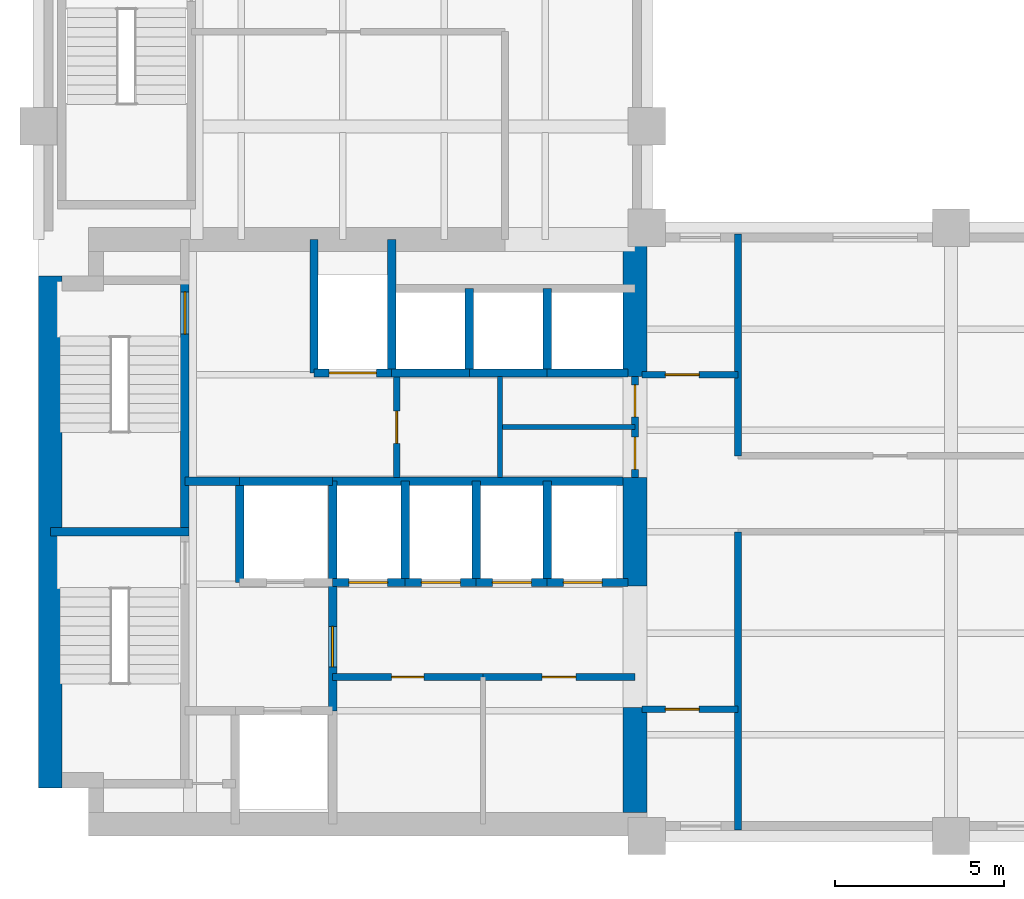
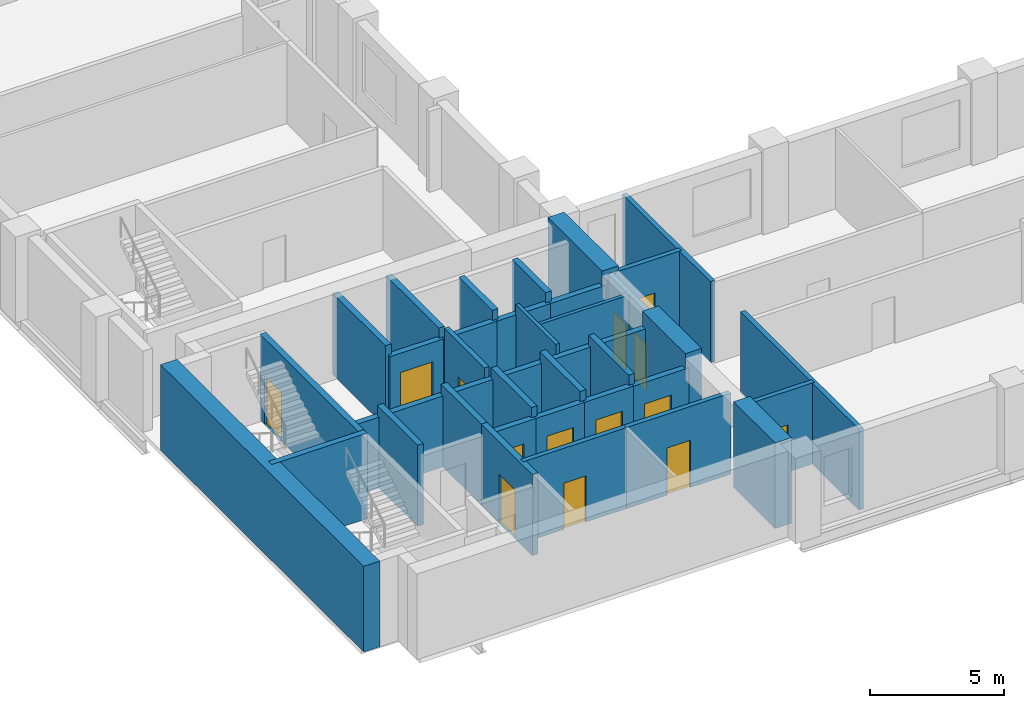
# One storey, part 3 of 7: 37 walls, 14 doors, 14 openings.
"""IFC4 building model written with IfcOpenShell, lengths in metres."""

import ifcopenshell
import ifcopenshell.guid

model = None  # the IFC model being written
_history = None  # IfcOwnerHistory: only IFC2X3 demands one
_inside = {}  # id of a spatial element -> (the spatial element, [elements in it])
_under = {}  # id of a project, library or spatial element -> (it, [spatial elements below it])
_declared = {}  # id of a project -> (the project, [libraries it declares])
_typed = {}  # id of a type object -> (the type object, [elements of that type])
_made_of = {}  # id of a material, layer set ... -> (it, [elements and type objects made of it])


def new_model(schema):
    """Start an empty IFC model of exactly this schema.

    Asked for "IFC4X3", IfcOpenShell would pick the latest addendum, in which some entities
    have other attributes; the version numbers below select the first issue.
    IFC2X3 requires an IfcOwnerHistory on every rooted entity: one is made here for all.
    """
    global model, _history
    if schema == "IFC4X3":
        model = ifcopenshell.file(schema_version=(4, 3, 0, 0))
    else:
        model = ifcopenshell.file(schema=schema)
    _inside.clear()
    _under.clear()
    _declared.clear()
    _typed.clear()
    _made_of.clear()
    _history = None
    if model.schema == "IFC2X3":
        org = make("IfcOrganization", Name="unknown")
        user = make(
            "IfcPersonAndOrganization",
            ThePerson=make("IfcPerson", FamilyName="unknown"),
            TheOrganization=org,
        )
        app = make(
            "IfcApplication",
            ApplicationDeveloper=org,
            Version="unknown",
            ApplicationFullName="unknown",
            ApplicationIdentifier="unknown",
        )
        _history = make(
            "IfcOwnerHistory",
            OwningUser=user,
            OwningApplication=app,
            ChangeAction="ADDED",
            CreationDate=0,
        )
    return model


def make(cls, **values):
    """One entity of the class cls with the attributes given. An attribute that is None is left unset."""
    return model.create_entity(
        cls, **{name: value for name, value in values.items() if value is not None}
    )


def rooted(cls, **values):
    """An entity with a GlobalId (a new one), such as an element, a storey or a relation."""
    return make(cls, GlobalId=ifcopenshell.guid.new(), OwnerHistory=_history, **values)


def si_unit(unit_type, name, prefix=None):
    """IfcSIUnit, for example si_unit("LENGTHUNIT", "METRE", prefix="MILLI")."""
    return make("IfcSIUnit", UnitType=unit_type, Prefix=prefix, Name=name)


def assignment(units):
    """IfcUnitAssignment: the units of a project."""
    return None if units is None else make("IfcUnitAssignment", Units=units)


def point(xyz):
    """IfcCartesianPoint."""
    return None if xyz is None else make("IfcCartesianPoint", Coordinates=xyz)


def direction(xyz):
    """IfcDirection."""
    return None if xyz is None else make("IfcDirection", DirectionRatios=xyz)


def frame(location, z_axis=None, x_axis=None):
    """IfcAxis2Placement3D, a coordinate frame: its origin and axes. An axis left out is left unset."""
    return make(
        "IfcAxis2Placement3D",
        Location=point(location),
        Axis=direction(z_axis),
        RefDirection=direction(x_axis),
    )


def frame_2d(location, x_axis=None):
    """IfcAxis2Placement2D, a coordinate frame in the plane: its origin and x axis."""
    return make(
        "IfcAxis2Placement2D", Location=point(location), RefDirection=direction(x_axis)
    )


def origin():
    """The frame at (0, 0, 0) with its axes left unset."""
    return frame((0.0, 0.0, 0.0))


def place(relative_to, where):
    """IfcLocalPlacement: puts the frame where relative to a parent placement (None: the world)."""
    return make(
        "IfcLocalPlacement", PlacementRelTo=relative_to, RelativePlacement=where
    )


def context(
    kind, dimensions, precision=None, world=None, true_north=None, identifier=None
):
    """IfcGeometricRepresentationContext, for example the 3D "Model" context."""
    return make(
        "IfcGeometricRepresentationContext",
        ContextIdentifier=identifier,
        ContextType=kind,
        CoordinateSpaceDimension=dimensions,
        Precision=precision,
        WorldCoordinateSystem=world,
        TrueNorth=true_north,
    )


def subcontext(parent, identifier, kind, view, scale=None):
    """IfcGeometricRepresentationSubContext, for example "Body" below "Model"."""
    return make(
        "IfcGeometricRepresentationSubContext",
        ContextIdentifier=identifier,
        ContextType=kind,
        ParentContext=parent,
        TargetScale=scale,
        TargetView=view,
    )


def project(units=None, contexts=None):
    """IfcProject with its units and contexts."""
    return rooted(
        "IfcProject",
        Name="project",
        RepresentationContexts=contexts,
        UnitsInContext=assignment(units),
    )


def spatial(cls, under=None, at=None, **own):
    """A site, building, storey or space (cls), placed at a placement, below another one or the project."""
    s = rooted(cls, ObjectPlacement=at, **own)
    if under is not None:
        _under.setdefault(under.id(), (under, []))[1].append(s)
    return s


def profile(cls, at=None, kind="AREA", **sizes):
    """A parametric profile (cls). Its sizes go by their IFC names, for example OverallWidth=200.0."""
    return make(cls, ProfileType=kind, Position=at, **sizes)


def rectangle(**sizes):
    """IfcRectangleProfileDef."""
    return profile("IfcRectangleProfileDef", **sizes)


def extrude(swept, where, along, depth):
    """IfcExtrudedAreaSolid: the profile swept, set in the frame where, extruded along a direction by depth."""
    return make(
        "IfcExtrudedAreaSolid",
        SweptArea=swept,
        Position=where,
        ExtrudedDirection=direction(along),
        Depth=depth,
    )


def shape(context_of_items, identifier, shape_type, items):
    """IfcShapeRepresentation: the items that make up one representation, for example the "Body"."""
    return make(
        "IfcShapeRepresentation",
        ContextOfItems=context_of_items,
        RepresentationIdentifier=identifier,
        RepresentationType=shape_type,
        Items=items,
    )


def material(Name=None, Category=None):
    """IfcMaterial."""
    return make("IfcMaterial", Name=Name, Category=Category)


def layer(
    of_material, thickness, ventilated=None, Name=None, Category=None, Priority=None
):
    """IfcMaterialLayer: one layer of a wall or slab, of a material (None: an air gap)."""
    return make(
        "IfcMaterialLayer",
        Material=of_material,
        LayerThickness=thickness,
        IsVentilated=ventilated,
        Name=Name,
        Category=Category,
        Priority=Priority,
    )


def layer_set(layers, Name=None):
    """IfcMaterialLayerSet."""
    return make("IfcMaterialLayerSet", MaterialLayers=layers, LayerSetName=Name)


def made_of(thing, what):
    """Note that an element or type object is made of a material, layer set ...; save() writes the relation."""
    if what is not None:
        _made_of.setdefault(what.id(), (what, []))[1].append(thing)
    return thing


def type_object(cls, material=None, **own):
    """A type object (cls), such as IfcWallType, which elements share."""
    return made_of(rooted(cls, **own), material)


def element(
    cls,
    number,
    at=None,
    inside=None,
    cuts=None,
    type_object=None,
    material=None,
    context=None,
    identifier="Body",
    shape_type=None,
    held_by="IfcProductDefinitionShape",
    body=None,
    shapes=None,
    **own,
):
    """One element of the class cls, such as IfcWall. Its Tag is "e" and its number.

    at: its placement. inside: the storey or other place that contains it. cuts: it is an
    opening in that element (IfcRelVoidsElement). A single representation is given by context,
    identifier, shape_type and body (its items); several are given by shapes. held_by: the class
    of the entity that holds the representations. save() writes the other relations.
    """
    e = rooted(cls, Tag="e%d" % number, ObjectPlacement=at, **own)
    if body is not None:
        shapes = [shape(context, identifier, shape_type, body)]
    if shapes is not None:
        e.Representation = make(held_by, Representations=shapes)
    if inside is not None:
        _inside.setdefault(inside.id(), (inside, []))[1].append(e)
    if cuts is not None:
        rooted(
            "IfcRelVoidsElement", RelatingBuildingElement=cuts, RelatedOpeningElement=e
        )
    if type_object is not None:
        _typed.setdefault(type_object.id(), (type_object, []))[1].append(e)
    return made_of(e, material)


def fill(opening, filler):
    """IfcRelFillsElement: the door or window that sits in an opening."""
    return rooted(
        "IfcRelFillsElement",
        RelatingOpeningElement=opening,
        RelatedBuildingElement=filler,
    )


def aggregate(whole, parts):
    """IfcRelAggregates: a whole, such as a stair, and the parts it consists of."""
    return rooted("IfcRelAggregates", RelatingObject=whole, RelatedObjects=parts)


def save(model, path):
    """Write the relations noted so far, then the file.

    IfcRelAggregates (storeys below a building ...), IfcRelContainedInSpatialStructure (elements
    in a storey), IfcRelDefinesByType, IfcRelAssociatesMaterial and IfcRelDeclares: one each for
    every whole, place, type object, material and project.
    """
    for whole, parts in _under.values():
        aggregate(whole, parts)
    for where, things in _inside.values():
        rooted(
            "IfcRelContainedInSpatialStructure",
            RelatedElements=things,
            RelatingStructure=where,
        )
    for kind, things in _typed.values():
        rooted("IfcRelDefinesByType", RelatedObjects=things, RelatingType=kind)
    for what, things in _made_of.values():
        rooted("IfcRelAssociatesMaterial", RelatedObjects=things, RelatingMaterial=what)
    for by, libraries in _declared.values():
        rooted("IfcRelDeclares", RelatingContext=by, RelatedDefinitions=libraries)
    model.write(path)


model = new_model("IFC4")

# Units and contexts
model_context = context("Model", 3, precision=1e-05, world=origin(), true_north=direction((0.0, 1.0)))
body_context = subcontext(model_context, "Body", "Model", "MODEL_VIEW")
ifc_project = project(units=[si_unit("LENGTHUNIT", "METRE"), si_unit("AREAUNIT", "SQUARE_METRE"), si_unit("VOLUMEUNIT", "CUBIC_METRE"), si_unit("PLANEANGLEUNIT", "RADIAN"), si_unit("MASSUNIT", "GRAM", prefix="KILO")], contexts=[model_context])

# Site, building, storey
site_placement = place(None, origin())
site = spatial("IfcSite", under=ifc_project, at=site_placement, CompositionType="ELEMENT")
building_placement = place(site_placement, origin())
building = spatial("IfcBuilding", under=site, at=building_placement, Name="Mawjdan Bourse Tower", CompositionType="ELEMENT")
storey_placement = place(building_placement, frame((0.0, 0.0, 108.89990234375)))
storey = spatial("IfcBuildingStorey", under=building, at=storey_placement, Name="L25", CompositionType="ELEMENT", Elevation=108.89990234375)

# Wall, opening, door
ifc_material_1 = material(Name="Gypsum Fireboard Assembly")
ifc_layer_1 = layer(ifc_material_1, 0.199951171875)
ifc_layer_set_1 = layer_set([ifc_layer_1], Name="Gypsum Fireboard Assembly")
wall_type_1 = type_object("IfcWallType", Name="WL-CMP-200", PredefinedType="PARTITIONING", material=ifc_layer_set_1)
wall_1_placement = place(storey_placement, frame((14.699951171875, 7.699951171875, 0.0), z_axis=(0.0, 0.0, 1.0), x_axis=(1.0, 0.0, 0.0)))
wall_1 = element("IfcWall", 1, at=wall_1_placement, inside=storey, type_object=wall_type_1, Name="L25 Staff Tea Pantry North Wall", PredefinedType="PARTITIONING", context=body_context, shape_type="SweptSolid", body=[
    extrude(rectangle(XDim=4.449951171875, YDim=0.199951171875, at=frame_2d((2.22509765625, 0.0))), origin(), (0.0, 0.0, 1.0), 3.690185546875),
])
opening_1_placement = place(wall_1_placement, frame((1.75, 0.0, 0.0)))
opening_1 = element("IfcOpeningElement", 2, at=opening_1_placement, cuts=wall_1, Name="Opening D-L25-10", PredefinedType="OPENING", context=body_context, shape_type="SweptSolid", body=[
    extrude(rectangle(XDim=0.949951171875, YDim=2.10009765625, at=frame_2d((0.47509765625, 1.050048828125))), frame((0.0, 0.10986328125, 0.0), z_axis=(0.0, -1.0, 0.0), x_axis=(1.0, 0.0, 0.0)), (0.0, 0.0, 1.0), 0.219970703125),
])
ifc_material_2 = material(Name="Moisture-Resistant Laminate Timber", Category="wood")
door_type_1 = type_object("IfcDoorType", Name="DR-WET-0950", OperationType="NOTDEFINED", PredefinedType="DOOR", material=ifc_material_2)
door_1_placement = place(opening_1_placement, origin())
door_1 = element("IfcDoor", 3, at=door_1_placement, inside=storey, type_object=door_type_1, Name="L25 Staff Tea Pantry Door D-L25-10", OperationType="SINGLE_SWING_RIGHT", OverallHeight=2.10009765625, OverallWidth=0.949951171875, PredefinedType="DOOR", context=body_context, shape_type="SweptSolid", body=[
    extrude(rectangle(XDim=0.949951171875, YDim=2.10009765625, at=frame_2d((0.47509765625, 1.050048828125))), frame((0.0, 0.02490234375, 0.0), z_axis=(0.0, -1.0, 0.0), x_axis=(1.0, 0.0, 0.0)), (0.0, 0.0, 1.0), 0.050048828125),
])
fill(opening_1, door_1)

wall_2_placement = place(storey_placement, frame((19.14990234375, 7.699951171875, 0.0), z_axis=(0.0, 0.0, 1.0), x_axis=(1.0, 0.0, 0.0)))
wall_2 = element("IfcWall", 4, at=wall_2_placement, inside=storey, type_object=wall_type_1, Name="L25 Document Custody Office North Wall", PredefinedType="PARTITIONING", context=body_context, shape_type="SweptSolid", body=[
    extrude(rectangle(XDim=4.5, YDim=0.199951171875, at=frame_2d((2.25, 0.0))), origin(), (0.0, 0.0, 1.0), 3.690185546875),
])
opening_2_placement = place(wall_2_placement, frame((1.75, 0.0, 0.0)))
opening_2 = element("IfcOpeningElement", 5, at=opening_2_placement, cuts=wall_2, Name="Opening D-L25-11", PredefinedType="OPENING", context=body_context, shape_type="SweptSolid", body=[
    extrude(rectangle(XDim=1.0, YDim=2.14990234375, at=frame_2d((0.5, 1.074951171875))), frame((0.0, 0.10986328125, 0.0), z_axis=(0.0, -1.0, 0.0), x_axis=(1.0, 0.0, 0.0)), (0.0, 0.0, 1.0), 0.219970703125),
])
ifc_material_3 = material(Name="Hardwood Acoustic Leaf", Category="wood")
door_type_2 = type_object("IfcDoorType", Name="DR-OFC-1000", OperationType="NOTDEFINED", PredefinedType="DOOR", material=ifc_material_3)
door_2_placement = place(opening_2_placement, origin())
door_2 = element("IfcDoor", 6, at=door_2_placement, inside=storey, type_object=door_type_2, Name="L25 Document Custody Office Door D-L25-11", OperationType="SINGLE_SWING_LEFT", OverallHeight=2.14990234375, OverallWidth=1.0, PredefinedType="DOOR", context=body_context, shape_type="SweptSolid", body=[
    extrude(rectangle(XDim=1.0, YDim=2.14990234375, at=frame_2d((0.5, 1.074951171875))), frame((0.0, 0.02490234375, 0.0), z_axis=(0.0, -1.0, 0.0), x_axis=(1.0, 0.0, 0.0)), (0.0, 0.0, 1.0), 0.050048828125),
])
fill(opening_2, door_2)

wall_3_placement = place(storey_placement, frame((16.60009765625, 13.60009765625, 0.0), z_axis=(0.0, 0.0, 1.0), x_axis=(0.0, 1.0, 0.0)))
wall_3 = element("IfcWall", 7, at=wall_3_placement, inside=storey, type_object=wall_type_1, Name="L25 Core Restroom West Wall", PredefinedType="PARTITIONING", context=body_context, shape_type="SweptSolid", body=[
    extrude(rectangle(XDim=3.0, YDim=0.199951171875, at=frame_2d((1.5, 0.0))), origin(), (0.0, 0.0, 1.0), 3.690185546875),
])
opening_3_placement = place(wall_3_placement, frame((1.02001953125, 0.0, 0.0)))
opening_3 = element("IfcOpeningElement", 8, at=opening_3_placement, cuts=wall_3, Name="Opening D-L25-16", PredefinedType="OPENING", context=body_context, shape_type="SweptSolid", body=[
    extrude(rectangle(XDim=0.949951171875, YDim=2.10009765625, at=frame_2d((0.47509765625, 1.050048828125))), frame((0.0, 0.10986328125, 0.0), z_axis=(0.0, -1.0, 0.0), x_axis=(1.0, 0.0, 0.0)), (0.0, 0.0, 1.0), 0.219970703125),
])
door_3_placement = place(opening_3_placement, origin())
door_3 = element("IfcDoor", 9, at=door_3_placement, inside=storey, type_object=door_type_1, Name="L25 Male Restroom Entry Door D-L25-16", OperationType="SINGLE_SWING_RIGHT", OverallHeight=2.10009765625, OverallWidth=0.949951171875, PredefinedType="DOOR", context=body_context, shape_type="SweptSolid", body=[
    extrude(rectangle(XDim=0.949951171875, YDim=2.10009765625, at=frame_2d((0.47509765625, 1.050048828125))), frame((0.0, 0.02490234375, 0.0), z_axis=(0.0, -1.0, 0.0), x_axis=(1.0, 0.0, 0.0)), (0.0, 0.0, 1.0), 0.050048828125),
])
fill(opening_3, door_3)

# Wall, openings, doors
wall_4_placement = place(storey_placement, frame((23.64990234375, 13.60009765625, 0.0), z_axis=(0.0, 0.0, 1.0), x_axis=(0.0, 1.0, 0.0)))
wall_4 = element("IfcWall", 10, at=wall_4_placement, inside=storey, type_object=wall_type_1, Name="L25 Core Restroom East Enclosing Wall", PredefinedType="PARTITIONING", context=body_context, shape_type="SweptSolid", body=[
    extrude(rectangle(XDim=3.0, YDim=0.199951171875, at=frame_2d((1.5, 0.0))), origin(), (0.0, 0.0, 1.0), 3.690185546875),
])
opening_4_placement = place(wall_4_placement, frame((0.25, 0.0, 0.0)))
opening_4 = element("IfcOpeningElement", 11, at=opening_4_placement, cuts=wall_4, Name="Opening D-L25-17", PredefinedType="OPENING", context=body_context, shape_type="SweptSolid", body=[
    extrude(rectangle(XDim=0.949951171875, YDim=2.10009765625, at=frame_2d((0.47509765625, 1.050048828125))), frame((0.0, 0.10986328125, 0.0), z_axis=(0.0, -1.0, 0.0), x_axis=(1.0, 0.0, 0.0)), (0.0, 0.0, 1.0), 0.219970703125),
])
opening_5_placement = place(wall_4_placement, frame((1.800048828125, 0.0, 0.0)))
opening_5 = element("IfcOpeningElement", 12, at=opening_5_placement, cuts=wall_4, Name="Opening D-L25-18", PredefinedType="OPENING", context=body_context, shape_type="SweptSolid", body=[
    extrude(rectangle(XDim=0.949951171875, YDim=2.10009765625, at=frame_2d((0.47509765625, 1.050048828125))), frame((0.0, 0.10986328125, 0.0), z_axis=(0.0, -1.0, 0.0), x_axis=(1.0, 0.0, 0.0)), (0.0, 0.0, 1.0), 0.219970703125),
])
door_4_placement = place(opening_4_placement, origin())
door_4 = element("IfcDoor", 13, at=door_4_placement, inside=storey, type_object=door_type_1, Name="L25 Accessible WC East Entry Door D-L25-17", OperationType="SINGLE_SWING_LEFT", OverallHeight=2.10009765625, OverallWidth=0.949951171875, PredefinedType="DOOR", context=body_context, shape_type="SweptSolid", body=[
    extrude(rectangle(XDim=0.949951171875, YDim=2.10009765625, at=frame_2d((0.47509765625, 1.050048828125))), frame((0.0, 0.02490234375, 0.0), z_axis=(0.0, -1.0, 0.0), x_axis=(1.0, 0.0, 0.0)), (0.0, 0.0, 1.0), 0.050048828125),
])
fill(opening_4, door_4)
door_5_placement = place(opening_5_placement, origin())
door_5 = element("IfcDoor", 14, at=door_5_placement, inside=storey, type_object=door_type_1, Name="L25 Female Restroom East Entry Door D-L25-18", OperationType="SINGLE_SWING_RIGHT", OverallHeight=2.10009765625, OverallWidth=0.949951171875, PredefinedType="DOOR", context=body_context, shape_type="SweptSolid", body=[
    extrude(rectangle(XDim=0.949951171875, YDim=2.10009765625, at=frame_2d((0.47509765625, 1.050048828125))), frame((0.0, 0.02490234375, 0.0), z_axis=(0.0, -1.0, 0.0), x_axis=(1.0, 0.0, 0.0)), (0.0, 0.0, 1.0), 0.050048828125),
])
fill(opening_5, door_5)

# Wall, opening, door
wall_5_placement = place(storey_placement, frame((23.85009765625, 6.75, 0.0), z_axis=(0.0, 0.0, 1.0), x_axis=(1.0, 0.0, 0.0)))
wall_5 = element("IfcWall", 15, at=wall_5_placement, inside=storey, type_object=wall_type_1, Name="L25 West Pocket North Wall", PredefinedType="PARTITIONING", context=body_context, shape_type="SweptSolid", body=[
    extrude(rectangle(XDim=2.849853515625, YDim=0.199951171875, at=frame_2d((1.4248046875, 0.0))), origin(), (0.0, 0.0, 1.0), 3.690185546875),
])
opening_6_placement = place(wall_5_placement, frame((0.699951171875, 0.0, 0.0)))
opening_6 = element("IfcOpeningElement", 16, at=opening_6_placement, cuts=wall_5, Name="Opening D-L25-20", PredefinedType="OPENING", context=body_context, shape_type="SweptSolid", body=[
    extrude(rectangle(XDim=1.0, YDim=2.14990234375, at=frame_2d((0.5, 1.074951171875))), frame((0.0, 0.10986328125, 0.0), z_axis=(0.0, -1.0, 0.0), x_axis=(1.0, 0.0, 0.0)), (0.0, 0.0, 1.0), 0.219970703125),
])
door_6_placement = place(opening_6_placement, origin())
door_6 = element("IfcDoor", 17, at=door_6_placement, inside=storey, type_object=door_type_2, Name="L25 West Pocket Office Door D-L25-20", OperationType="SINGLE_SWING_RIGHT", OverallHeight=2.14990234375, OverallWidth=1.0, PredefinedType="DOOR", context=body_context, shape_type="SweptSolid", body=[
    extrude(rectangle(XDim=1.0, YDim=2.14990234375, at=frame_2d((0.5, 1.074951171875))), frame((0.0, 0.02490234375, 0.0), z_axis=(0.0, -1.0, 0.0), x_axis=(1.0, 0.0, 0.0)), (0.0, 0.0, 1.0), 0.050048828125),
])
fill(opening_6, door_6)

wall_6_placement = place(storey_placement, frame((23.85009765625, 16.64990234375, 0.0), z_axis=(0.0, 0.0, 1.0), x_axis=(1.0, 0.0, 0.0)))
wall_6 = element("IfcWall", 18, at=wall_6_placement, inside=storey, type_object=wall_type_1, Name="L25 West North Pocket Wall", PredefinedType="PARTITIONING", context=body_context, shape_type="SweptSolid", body=[
    extrude(rectangle(XDim=2.849853515625, YDim=0.199951171875, at=frame_2d((1.4248046875, 0.0))), origin(), (0.0, 0.0, 1.0), 3.690185546875),
])
opening_7_placement = place(wall_6_placement, frame((0.699951171875, 0.0, 0.0)))
opening_7 = element("IfcOpeningElement", 19, at=opening_7_placement, cuts=wall_6, Name="Opening D-L25-21", PredefinedType="OPENING", context=body_context, shape_type="SweptSolid", body=[
    extrude(rectangle(XDim=1.0, YDim=2.14990234375, at=frame_2d((0.5, 1.074951171875))), frame((0.0, 0.10986328125, 0.0), z_axis=(0.0, -1.0, 0.0), x_axis=(1.0, 0.0, 0.0)), (0.0, 0.0, 1.0), 0.219970703125),
])
door_7_placement = place(opening_7_placement, origin())
door_7 = element("IfcDoor", 20, at=door_7_placement, inside=storey, type_object=door_type_2, Name="L25 West North Pocket Door D-L25-21", OperationType="SINGLE_SWING_LEFT", OverallHeight=2.14990234375, OverallWidth=1.0, PredefinedType="DOOR", context=body_context, shape_type="SweptSolid", body=[
    extrude(rectangle(XDim=1.0, YDim=2.14990234375, at=frame_2d((0.5, 1.074951171875))), frame((0.0, 0.02490234375, 0.0), z_axis=(0.0, -1.0, 0.0), x_axis=(1.0, 0.0, 0.0)), (0.0, 0.0, 1.0), 0.050048828125),
])
fill(opening_7, door_7)

# Walls
wall_7_placement = place(storey_placement, frame((26.699951171875, 3.179931640625, 0.0), z_axis=(0.0, 0.0, 1.0), x_axis=(0.0, 1.0, 0.0)))
element("IfcWall", 21, at=wall_7_placement, inside=storey, type_object=wall_type_1, Name="L25 Vestibule South East Wall", PredefinedType="PARTITIONING", context=body_context, shape_type="SweptSolid", body=[
    extrude(rectangle(XDim=8.820068359375, YDim=0.199951171875, at=frame_2d((4.41015625, 0.0))), origin(), (0.0, 0.0, 1.0), 3.690185546875),
])
wall_8_placement = place(storey_placement, frame((26.699951171875, 14.25, 0.0), z_axis=(0.0, 0.0, 1.0), x_axis=(0.0, 1.0, 0.0)))
element("IfcWall", 22, at=wall_8_placement, inside=storey, type_object=wall_type_1, Name="L25 Vestibule North East Wall", PredefinedType="PARTITIONING", context=body_context, shape_type="SweptSolid", body=[
    extrude(rectangle(XDim=6.570068359375, YDim=0.199951171875, at=frame_2d((3.28515625, 0.0))), origin(), (0.0, 0.0, 1.0), 3.690185546875),
])
ifc_material_4 = material(Name="Concrete C70/85", Category="concrete")
ifc_layer_2 = layer(ifc_material_4, 0.699951171875)
ifc_layer_set_2 = layer_set([ifc_layer_2], Name="Concrete C70/85")
wall_type_2 = type_object("IfcWallType", Name="WL-CORE-700", PredefinedType="SHEAR", material=ifc_layer_set_2)
wall_9_placement = place(storey_placement, frame((6.35009765625, 4.425048828125, 0.0), z_axis=(0.0, 0.0, 1.0), x_axis=(0.0, 1.0, 0.0)))
element("IfcWall", 23, at=wall_9_placement, inside=storey, type_object=wall_type_2, Name="L25 Rear Core Shear Wall W", PredefinedType="SHEAR", context=body_context, shape_type="SweptSolid", body=[
    extrude(rectangle(XDim=15.14990234375, YDim=0.699951171875, at=frame_2d((7.574951171875, 0.0))), origin(), (0.0, 0.0, 1.0), 3.900146484375),
])
wall_10_placement = place(storey_placement, frame((23.64990234375, 3.699951171875, 0.0), z_axis=(0.0, 0.0, 1.0), x_axis=(0.0, 1.0, 0.0)))
element("IfcWall", 24, at=wall_10_placement, inside=storey, type_object=wall_type_2, Name="L25 Rear Core Shear Wall E1", PredefinedType="SHEAR", context=body_context, shape_type="SweptSolid", body=[
    extrude(rectangle(XDim=3.10009765625, YDim=0.699951171875, at=frame_2d((1.550048828125, 0.0))), origin(), (0.0, 0.0, 1.0), 3.900146484375),
])
wall_11_placement = place(storey_placement, frame((23.64990234375, 10.39990234375, 0.0), z_axis=(0.0, 0.0, 1.0), x_axis=(0.0, 1.0, 0.0)))
element("IfcWall", 25, at=wall_11_placement, inside=storey, type_object=wall_type_2, Name="L25 Rear Core Shear Wall E2", PredefinedType="SHEAR", context=body_context, shape_type="SweptSolid", body=[
    extrude(rectangle(XDim=3.2001953125, YDim=0.699951171875, at=frame_2d((1.60009765625, 0.0))), origin(), (0.0, 0.0, 1.0), 3.900146484375),
])
wall_12_placement = place(storey_placement, frame((23.64990234375, 16.60009765625, 0.0), z_axis=(0.0, 0.0, 1.0), x_axis=(0.0, 1.0, 0.0)))
element("IfcWall", 26, at=wall_12_placement, inside=storey, type_object=wall_type_2, Name="L25 Rear Core Shear Wall E3", PredefinedType="SHEAR", context=body_context, shape_type="SweptSolid", body=[
    extrude(rectangle(XDim=4.0498046875, YDim=0.699951171875, at=frame_2d((2.02490234375, 0.0))), origin(), (0.0, 0.0, 1.0), 3.900146484375),
])
ifc_material_5 = material(Name="Gypsum Acoustic Partition")
ifc_layer_3 = layer(ifc_material_5, 0.14990234375)
ifc_layer_set_3 = layer_set([ifc_layer_3], Name="Gypsum Acoustic Partition")
wall_type_3 = type_object("IfcWallType", Name="WL-PRT-150", PredefinedType="PARTITIONING", material=ifc_layer_set_3)
wall_13_placement = place(storey_placement, frame((19.64990234375, 13.60009765625, 0.0), z_axis=(0.0, 0.0, 1.0), x_axis=(0.0, 1.0, 0.0)))
element("IfcWall", 27, at=wall_13_placement, inside=storey, type_object=wall_type_3, Name="L25 Core Restroom Vertical Split", PredefinedType="PARTITIONING", context=body_context, shape_type="SweptSolid", body=[
    extrude(rectangle(XDim=3.0, YDim=0.14990234375, at=frame_2d((1.5, 0.0))), origin(), (0.0, 0.0, 1.0), 3.690185546875),
])
wall_14_placement = place(storey_placement, frame((19.64990234375, 15.10009765625, 0.0), z_axis=(0.0, 0.0, 1.0), x_axis=(1.0, 0.0, 0.0)))
element("IfcWall", 28, at=wall_14_placement, inside=storey, type_object=wall_type_3, Name="L25 Core Restroom East Horizontal Split", PredefinedType="PARTITIONING", context=body_context, shape_type="SweptSolid", body=[
    extrude(rectangle(XDim=4.0, YDim=0.14990234375, at=frame_2d((2.0, 0.0))), origin(), (0.0, 0.0, 1.0), 3.690185546875),
])
ifc_material_6 = material(Name="Concrete C50/60", Category="concrete")
ifc_layer_4 = layer(ifc_material_6, 0.25)
ifc_layer_set_4 = layer_set([ifc_layer_4], Name="Concrete C50/60")
wall_type_4 = type_object("IfcWallType", Name="WL-SHFT-250", PredefinedType="PARTITIONING", material=ifc_layer_set_4)
wall_15_placement = place(storey_placement, frame((11.949951171875, 10.5, 0.0), z_axis=(0.0, 0.0, 1.0), x_axis=(0.0, 1.0, 0.0)))
element("IfcWall", 29, at=wall_15_placement, inside=storey, type_object=wall_type_4, Name="L25 FFL-02 West Shaft Wall", PredefinedType="PARTITIONING", context=body_context, shape_type="SweptSolid", body=[
    extrude(rectangle(XDim=3.0, YDim=0.25, at=frame_2d((1.5, 0.0))), origin(), (0.0, 0.0, 1.0), 3.690185546875),
])
wall_16_placement = place(storey_placement, frame((11.949951171875, 13.5, 0.0), z_axis=(0.0, 0.0, 1.0), x_axis=(1.0, 0.0, 0.0)))
element("IfcWall", 30, at=wall_16_placement, inside=storey, type_object=wall_type_4, Name="L25 FFL-02 North Shaft Wall", PredefinedType="PARTITIONING", context=body_context, shape_type="SweptSolid", body=[
    extrude(rectangle(XDim=2.75, YDim=0.25, at=frame_2d((1.375, 0.0))), origin(), (0.0, 0.0, 1.0), 3.22705078125),
])
wall_17_placement = place(storey_placement, frame((14.699951171875, 10.5, 0.0), z_axis=(0.0, 0.0, 1.0), x_axis=(0.0, 1.0, 0.0)))
element("IfcWall", 31, at=wall_17_placement, inside=storey, type_object=wall_type_4, Name="L25 FFL-02 East Shaft Wall", PredefinedType="PARTITIONING", context=body_context, shape_type="SweptSolid", body=[
    extrude(rectangle(XDim=3.0, YDim=0.25, at=frame_2d((1.5, 0.0))), origin(), (0.0, 0.0, 1.0), 3.690185546875),
])

# Wall, opening, door
wall_18_placement = place(storey_placement, frame((14.699951171875, 6.699951171875, 0.0), z_axis=(0.0, 0.0, 1.0), x_axis=(0.0, 1.0, 0.0)))
wall_18 = element("IfcWall", 32, at=wall_18_placement, inside=storey, type_object=wall_type_4, Name="L25 Firefighting Lobby East Compartment Wall", PredefinedType="PARTITIONING", context=body_context, shape_type="SweptSolid", body=[
    extrude(rectangle(XDim=3.800048828125, YDim=0.25, at=frame_2d((1.89990234375, 0.0))), origin(), (0.0, 0.0, 1.0), 3.690185546875),
])
opening_8_placement = place(wall_18_placement, frame((1.300048828125, 0.0, 0.0)))
opening_8 = element("IfcOpeningElement", 33, at=opening_8_placement, cuts=wall_18, Name="Opening FD-L25-07", PredefinedType="OPENING", context=body_context, shape_type="SweptSolid", body=[
    extrude(rectangle(XDim=1.199951171875, YDim=2.199951171875, at=frame_2d((0.60009765625, 1.10009765625))), frame((0.0, 0.135009765625, 0.0), z_axis=(0.0, -1.0, 0.0), x_axis=(1.0, 0.0, 0.0)), (0.0, 0.0, 1.0), 0.27001953125),
])
ifc_material_7 = material(Name="Fire-Rated Steel Leaf", Category="steel")
door_type_3 = type_object("IfcDoorType", Name="FD-FFL-1200", OperationType="NOTDEFINED", PredefinedType="DOOR", material=ifc_material_7)
door_8_placement = place(opening_8_placement, origin())
door_8 = element("IfcDoor", 34, at=door_8_placement, inside=storey, type_object=door_type_3, Name="L25 Firefighting Lobby East Smoke Door FD-L25-07", OperationType="SINGLE_SWING_RIGHT", OverallHeight=2.199951171875, OverallWidth=1.199951171875, PredefinedType="DOOR", context=body_context, shape_type="SweptSolid", body=[
    extrude(rectangle(XDim=1.199951171875, YDim=2.199951171875, at=frame_2d((0.60009765625, 1.10009765625))), frame((0.0, 0.02490234375, 0.0), z_axis=(0.0, -1.0, 0.0), x_axis=(1.0, 0.0, 0.0)), (0.0, 0.0, 1.0), 0.050048828125),
])
fill(opening_8, door_8)

# Wall
wall_19_placement = place(storey_placement, frame((10.330078125, 13.5, 0.0), z_axis=(0.0, 0.0, 1.0), x_axis=(1.0, 0.0, 0.0)))
element("IfcWall", 35, at=wall_19_placement, inside=storey, type_object=wall_type_4, Name="L25 Firefighting Lobby North Compartment Wall", PredefinedType="PARTITIONING", context=body_context, shape_type="SweptSolid", body=[
    extrude(rectangle(XDim=1.619873046875, YDim=0.25, at=frame_2d((0.81005859375, 0.0))), origin(), (0.0, 0.0, 1.0), 3.22705078125),
])

# Wall, opening, door
wall_20_placement = place(storey_placement, frame((14.14990234375, 16.699951171875, 0.0), z_axis=(0.0, 0.0, 1.0), x_axis=(1.0, 0.0, 0.0)))
wall_20 = element("IfcWall", 36, at=wall_20_placement, inside=storey, type_object=wall_type_4, Name="L25 SVL-01 Front Shaft Wall", PredefinedType="PARTITIONING", context=body_context, shape_type="SweptSolid", body=[
    extrude(rectangle(XDim=2.300048828125, YDim=0.25, at=frame_2d((1.14990234375, 0.0))), origin(), (0.0, 0.0, 1.0), 3.22705078125),
])
opening_9_placement = place(wall_20_placement, frame((0.449951171875, 0.0, 0.0)))
opening_9 = element("IfcOpeningElement", 37, at=opening_9_placement, cuts=wall_20, Name="Opening LD-L25-09", PredefinedType="OPENING", context=body_context, shape_type="SweptSolid", body=[
    extrude(rectangle(XDim=1.39990234375, YDim=2.35009765625, at=frame_2d((0.699951171875, 1.175048828125))), frame((0.0, 0.135009765625, 0.0), z_axis=(0.0, -1.0, 0.0), x_axis=(1.0, 0.0, 0.0)), (0.0, 0.0, 1.0), 0.27001953125),
])
ifc_material_8 = material(Name="Heavy-Duty Stainless Steel", Category="steel")
door_type_4 = type_object("IfcDoorType", Name="LD-SRV-1400", OperationType="DOUBLE_DOOR_SLIDING", PredefinedType="DOOR", material=ifc_material_8)
door_9_placement = place(opening_9_placement, origin())
door_9 = element("IfcDoor", 38, at=door_9_placement, inside=storey, type_object=door_type_4, Name="L25 Service Lift SVL-01 Landing Door LD-L25-09", OperationType="DOUBLE_DOOR_SLIDING", OverallHeight=2.35009765625, OverallWidth=1.39990234375, PredefinedType="DOOR", context=body_context, shape_type="SweptSolid", body=[
    extrude(rectangle(XDim=1.39990234375, YDim=2.35009765625, at=frame_2d((0.699951171875, 1.175048828125))), frame((0.0, 0.02490234375, 0.0), z_axis=(0.0, -1.0, 0.0), x_axis=(1.0, 0.0, 0.0)), (0.0, 0.0, 1.0), 0.050048828125),
])
fill(opening_9, door_9)

# Walls
for number, where, z_axis, x_axis, name in (
    (39, (14.14990234375, 16.699951171875, 0.0), (0.0, 0.0, 1.0), (0.0, 1.0, 0.0), "L25 SVL-01 West Shaft Wall"),
    (40, (16.449951171875, 16.699951171875, 0.0), (0.0, 0.0, 1.0), (0.0, 1.0, 0.0), "L25 SVL-01 East Shaft Wall"),
):
    element("IfcWall", number, at=place(storey_placement, frame(where, z_axis=z_axis, x_axis=x_axis)), inside=storey, type_object=wall_type_4, Name=name, PredefinedType="PARTITIONING", context=body_context, shape_type="SweptSolid", body=[
        extrude(rectangle(XDim=3.949951171875, YDim=0.25, at=frame_2d((1.97509765625, 0.0))), origin(), (0.0, 0.0, 1.0), 3.690185546875),
    ])
wall_21_placement = place(storey_placement, frame((16.449951171875, 16.699951171875, 0.0), z_axis=(0.0, 0.0, 1.0), x_axis=(1.0, 0.0, 0.0)))
element("IfcWall", 41, at=wall_21_placement, inside=storey, type_object=wall_type_4, Name="L25 PH-01 Front Wall", PredefinedType="PARTITIONING", context=body_context, shape_type="SweptSolid", body=[
    extrude(rectangle(XDim=2.300048828125, YDim=0.25, at=frame_2d((1.14990234375, 0.0))), origin(), (0.0, 0.0, 1.0), 3.22705078125),
])
wall_22_placement = place(storey_placement, frame((18.75, 16.699951171875, 0.0), z_axis=(0.0, 0.0, 1.0), x_axis=(0.0, 1.0, 0.0)))
element("IfcWall", 42, at=wall_22_placement, inside=storey, type_object=wall_type_4, Name="L25 PH-01 Divider Wall", PredefinedType="PARTITIONING", context=body_context, shape_type="SweptSolid", body=[
    extrude(rectangle(XDim=2.5, YDim=0.25, at=frame_2d((1.25, 0.0))), origin(), (0.0, 0.0, 1.0), 3.690185546875),
])
wall_23_placement = place(storey_placement, frame((18.75, 16.699951171875, 0.0), z_axis=(0.0, 0.0, 1.0), x_axis=(1.0, 0.0, 0.0)))
element("IfcWall", 43, at=wall_23_placement, inside=storey, type_object=wall_type_4, Name="L25 PH-02 Front Wall", PredefinedType="PARTITIONING", context=body_context, shape_type="SweptSolid", body=[
    extrude(rectangle(XDim=2.300048828125, YDim=0.25, at=frame_2d((1.14990234375, 0.0))), origin(), (0.0, 0.0, 1.0), 3.22705078125),
])
wall_24_placement = place(storey_placement, frame((21.050048828125, 16.699951171875, 0.0), z_axis=(0.0, 0.0, 1.0), x_axis=(0.0, 1.0, 0.0)))
element("IfcWall", 44, at=wall_24_placement, inside=storey, type_object=wall_type_4, Name="L25 PH-02 Divider Wall", PredefinedType="PARTITIONING", context=body_context, shape_type="SweptSolid", body=[
    extrude(rectangle(XDim=2.5, YDim=0.25, at=frame_2d((1.25, 0.0))), origin(), (0.0, 0.0, 1.0), 3.690185546875),
])
wall_25_placement = place(storey_placement, frame((21.050048828125, 16.699951171875, 0.0), z_axis=(0.0, 0.0, 1.0), x_axis=(1.0, 0.0, 0.0)))
element("IfcWall", 45, at=wall_25_placement, inside=storey, type_object=wall_type_4, Name="L25 PH-03 Front Wall", PredefinedType="PARTITIONING", context=body_context, shape_type="SweptSolid", body=[
    extrude(rectangle(XDim=2.39990234375, YDim=0.25, at=frame_2d((1.199951171875, 0.0))), origin(), (0.0, 0.0, 1.0), 3.22705078125),
])

# Wall, opening, door
wall_26_placement = place(storey_placement, frame((14.699951171875, 10.5, 0.0), z_axis=(0.0, 0.0, 1.0), x_axis=(1.0, 0.0, 0.0)))
wall_26 = element("IfcWall", 46, at=wall_26_placement, inside=storey, type_object=wall_type_4, Name="L25 PM-01 Front Wall", PredefinedType="PARTITIONING", context=body_context, shape_type="SweptSolid", body=[
    extrude(rectangle(XDim=2.150146484375, YDim=0.25, at=frame_2d((1.0751953125, 0.0))), origin(), (0.0, 0.0, 1.0), 3.22705078125),
])
opening_10_placement = place(wall_26_placement, frame((0.47998046875, 0.0, 0.0)))
opening_10 = element("IfcOpeningElement", 47, at=opening_10_placement, cuts=wall_26, Name="Opening LD-L25-12", PredefinedType="OPENING", context=body_context, shape_type="SweptSolid", body=[
    extrude(rectangle(XDim=1.14990234375, YDim=2.25, at=frame_2d((0.574951171875, 1.125))), frame((0.0, 0.135009765625, 0.0), z_axis=(0.0, -1.0, 0.0), x_axis=(1.0, 0.0, 0.0)), (0.0, 0.0, 1.0), 0.27001953125),
])
ifc_material_9 = material(Name="Brushed Stainless Steel", Category="steel")
door_type_5 = type_object("IfcDoorType", Name="LD-PAS-1150", OperationType="DOUBLE_DOOR_SLIDING", PredefinedType="DOOR", material=ifc_material_9)
door_10_placement = place(opening_10_placement, origin())
door_10 = element("IfcDoor", 48, at=door_10_placement, inside=storey, type_object=door_type_5, Name="L25 Lift PM-01 Landing Door LD-L25-12", OperationType="DOUBLE_DOOR_SLIDING", OverallHeight=2.25, OverallWidth=1.14990234375, PredefinedType="DOOR", context=body_context, shape_type="SweptSolid", body=[
    extrude(rectangle(XDim=1.14990234375, YDim=2.25, at=frame_2d((0.574951171875, 1.125))), frame((0.0, 0.02490234375, 0.0), z_axis=(0.0, -1.0, 0.0), x_axis=(1.0, 0.0, 0.0)), (0.0, 0.0, 1.0), 0.050048828125),
])
fill(opening_10, door_10)

# Wall
wall_27_placement = place(storey_placement, frame((16.85009765625, 10.5, 0.0), z_axis=(0.0, 0.0, 1.0), x_axis=(0.0, 1.0, 0.0)))
element("IfcWall", 49, at=wall_27_placement, inside=storey, type_object=wall_type_4, Name="L25 PM-01 Divider Wall", PredefinedType="PARTITIONING", context=body_context, shape_type="SweptSolid", body=[
    extrude(rectangle(XDim=3.0, YDim=0.25, at=frame_2d((1.5, 0.0))), origin(), (0.0, 0.0, 1.0), 3.690185546875),
])

# Wall, opening, door
wall_28_placement = place(storey_placement, frame((16.85009765625, 10.5, 0.0), z_axis=(0.0, 0.0, 1.0), x_axis=(1.0, 0.0, 0.0)))
wall_28 = element("IfcWall", 50, at=wall_28_placement, inside=storey, type_object=wall_type_4, Name="L25 PM-02 Front Wall", PredefinedType="PARTITIONING", context=body_context, shape_type="SweptSolid", body=[
    extrude(rectangle(XDim=2.099853515625, YDim=0.25, at=frame_2d((1.0498046875, 0.0))), origin(), (0.0, 0.0, 1.0), 3.22705078125),
])
opening_11_placement = place(wall_28_placement, frame((0.47998046875, 0.0, 0.0)))
opening_11 = element("IfcOpeningElement", 51, at=opening_11_placement, cuts=wall_28, Name="Opening LD-L25-13", PredefinedType="OPENING", context=body_context, shape_type="SweptSolid", body=[
    extrude(rectangle(XDim=1.14990234375, YDim=2.25, at=frame_2d((0.574951171875, 1.125))), frame((0.0, 0.135009765625, 0.0), z_axis=(0.0, -1.0, 0.0), x_axis=(1.0, 0.0, 0.0)), (0.0, 0.0, 1.0), 0.27001953125),
])
door_11_placement = place(opening_11_placement, origin())
door_11 = element("IfcDoor", 52, at=door_11_placement, inside=storey, type_object=door_type_5, Name="L25 Lift PM-02 Landing Door LD-L25-13", OperationType="DOUBLE_DOOR_SLIDING", OverallHeight=2.25, OverallWidth=1.14990234375, PredefinedType="DOOR", context=body_context, shape_type="SweptSolid", body=[
    extrude(rectangle(XDim=1.14990234375, YDim=2.25, at=frame_2d((0.574951171875, 1.125))), frame((0.0, 0.02490234375, 0.0), z_axis=(0.0, -1.0, 0.0), x_axis=(1.0, 0.0, 0.0)), (0.0, 0.0, 1.0), 0.050048828125),
])
fill(opening_11, door_11)

# Wall
wall_29_placement = place(storey_placement, frame((18.949951171875, 10.5, 0.0), z_axis=(0.0, 0.0, 1.0), x_axis=(0.0, 1.0, 0.0)))
element("IfcWall", 53, at=wall_29_placement, inside=storey, type_object=wall_type_4, Name="L25 PM-02 Divider Wall", PredefinedType="PARTITIONING", context=body_context, shape_type="SweptSolid", body=[
    extrude(rectangle(XDim=3.0, YDim=0.25, at=frame_2d((1.5, 0.0))), origin(), (0.0, 0.0, 1.0), 3.690185546875),
])

# Wall, opening, door
wall_30_placement = place(storey_placement, frame((18.949951171875, 10.5, 0.0), z_axis=(0.0, 0.0, 1.0), x_axis=(1.0, 0.0, 0.0)))
wall_30 = element("IfcWall", 54, at=wall_30_placement, inside=storey, type_object=wall_type_4, Name="L25 PM-03 Front Wall", PredefinedType="PARTITIONING", context=body_context, shape_type="SweptSolid", body=[
    extrude(rectangle(XDim=2.10009765625, YDim=0.25, at=frame_2d((1.050048828125, 0.0))), origin(), (0.0, 0.0, 1.0), 3.22705078125),
])
opening_12_placement = place(wall_30_placement, frame((0.47998046875, 0.0, 0.0)))
opening_12 = element("IfcOpeningElement", 55, at=opening_12_placement, cuts=wall_30, Name="Opening LD-L25-14", PredefinedType="OPENING", context=body_context, shape_type="SweptSolid", body=[
    extrude(rectangle(XDim=1.14990234375, YDim=2.25, at=frame_2d((0.574951171875, 1.125))), frame((0.0, 0.135009765625, 0.0), z_axis=(0.0, -1.0, 0.0), x_axis=(1.0, 0.0, 0.0)), (0.0, 0.0, 1.0), 0.27001953125),
])
door_12_placement = place(opening_12_placement, origin())
door_12 = element("IfcDoor", 56, at=door_12_placement, inside=storey, type_object=door_type_5, Name="L25 Lift PM-03 Landing Door LD-L25-14", OperationType="DOUBLE_DOOR_SLIDING", OverallHeight=2.25, OverallWidth=1.14990234375, PredefinedType="DOOR", context=body_context, shape_type="SweptSolid", body=[
    extrude(rectangle(XDim=1.14990234375, YDim=2.25, at=frame_2d((0.574951171875, 1.125))), frame((0.0, 0.02490234375, 0.0), z_axis=(0.0, -1.0, 0.0), x_axis=(1.0, 0.0, 0.0)), (0.0, 0.0, 1.0), 0.050048828125),
])
fill(opening_12, door_12)

# Wall
wall_31_placement = place(storey_placement, frame((21.050048828125, 10.5, 0.0), z_axis=(0.0, 0.0, 1.0), x_axis=(0.0, 1.0, 0.0)))
element("IfcWall", 57, at=wall_31_placement, inside=storey, type_object=wall_type_4, Name="L25 PM-03 Divider Wall", PredefinedType="PARTITIONING", context=body_context, shape_type="SweptSolid", body=[
    extrude(rectangle(XDim=3.0, YDim=0.25, at=frame_2d((1.5, 0.0))), origin(), (0.0, 0.0, 1.0), 3.690185546875),
])

# Wall, opening, door
wall_32_placement = place(storey_placement, frame((21.050048828125, 10.5, 0.0), z_axis=(0.0, 0.0, 1.0), x_axis=(1.0, 0.0, 0.0)))
wall_32 = element("IfcWall", 58, at=wall_32_placement, inside=storey, type_object=wall_type_4, Name="L25 PM-04 Front Wall", PredefinedType="PARTITIONING", context=body_context, shape_type="SweptSolid", body=[
    extrude(rectangle(XDim=2.39990234375, YDim=0.25, at=frame_2d((1.199951171875, 0.0))), origin(), (0.0, 0.0, 1.0), 3.22705078125),
])
opening_13_placement = place(wall_32_placement, frame((0.47998046875, 0.0, 0.0)))
opening_13 = element("IfcOpeningElement", 59, at=opening_13_placement, cuts=wall_32, Name="Opening LD-L25-15", PredefinedType="OPENING", context=body_context, shape_type="SweptSolid", body=[
    extrude(rectangle(XDim=1.14990234375, YDim=2.25, at=frame_2d((0.574951171875, 1.125))), frame((0.0, 0.135009765625, 0.0), z_axis=(0.0, -1.0, 0.0), x_axis=(1.0, 0.0, 0.0)), (0.0, 0.0, 1.0), 0.27001953125),
])
door_13_placement = place(opening_13_placement, origin())
door_13 = element("IfcDoor", 60, at=door_13_placement, inside=storey, type_object=door_type_5, Name="L25 Lift PM-04 Landing Door LD-L25-15", OperationType="DOUBLE_DOOR_SLIDING", OverallHeight=2.25, OverallWidth=1.14990234375, PredefinedType="DOOR", context=body_context, shape_type="SweptSolid", body=[
    extrude(rectangle(XDim=1.14990234375, YDim=2.25, at=frame_2d((0.574951171875, 1.125))), frame((0.0, 0.02490234375, 0.0), z_axis=(0.0, -1.0, 0.0), x_axis=(1.0, 0.0, 0.0)), (0.0, 0.0, 1.0), 0.050048828125),
])
fill(opening_13, door_13)

# Walls
wall_33_placement = place(storey_placement, frame((14.699951171875, 13.5, 0.0), z_axis=(0.0, 0.0, 1.0), x_axis=(1.0, 0.0, 0.0)))
element("IfcWall", 61, at=wall_33_placement, inside=storey, type_object=wall_type_4, Name="L25 PM Bank North Shaft Back Wall", PredefinedType="PARTITIONING", context=body_context, shape_type="SweptSolid", body=[
    extrude(rectangle(XDim=8.949951171875, YDim=0.25, at=frame_2d((4.47509765625, 0.0))), origin(), (0.0, 0.0, 1.0), 3.22705078125),
])
ifc_layer_5 = layer(ifc_material_6, 0.25)
ifc_layer_set_5 = layer_set([ifc_layer_5], Name="Concrete C50/60")
wall_type_5 = type_object("IfcWallType", Name="WL-STRW-250", PredefinedType="SHEAR", material=ifc_layer_set_5)
wall_34_placement = place(storey_placement, frame((6.35009765625, 12.0, 0.0), z_axis=(0.0, 0.0, 1.0), x_axis=(1.0, 0.0, 0.0)))
element("IfcWall", 62, at=wall_34_placement, inside=storey, type_object=wall_type_5, Name="L25 Stairwell Dividing Shaft Wall", PredefinedType="SHEAR", context=body_context, shape_type="SweptSolid", body=[
    extrude(rectangle(XDim=4.10498046875, YDim=0.25, at=frame_2d((2.052490234375, 0.0))), origin(), (0.0, 0.0, 1.0), 3.900146484375),
])

# Wall, opening, door
wall_35_placement = place(storey_placement, frame((10.330078125, 12.0, 0.0), z_axis=(0.0, 0.0, 1.0), x_axis=(0.0, 1.0, 0.0)))
wall_35 = element("IfcWall", 63, at=wall_35_placement, inside=storey, type_object=wall_type_5, Name="L25 Stairwell ST2 East Enclosure Wall", PredefinedType="SHEAR", context=body_context, shape_type="SweptSolid", body=[
    extrude(rectangle(XDim=7.449951171875, YDim=0.25, at=frame_2d((3.72509765625, 0.0))), origin(), (0.0, 0.0, 1.0), 3.900146484375),
])
opening_14_placement = place(wall_35_placement, frame((5.85009765625, 0.0, 0.0)))
opening_14 = element("IfcOpeningElement", 64, at=opening_14_placement, cuts=wall_35, Name="Opening SD-L25-02", PredefinedType="OPENING", context=body_context, shape_type="SweptSolid", body=[
    extrude(rectangle(XDim=1.25, YDim=2.199951171875, at=frame_2d((0.625, 1.10009765625))), frame((0.0, 0.135009765625, 0.0), z_axis=(0.0, -1.0, 0.0), x_axis=(1.0, 0.0, 0.0)), (0.0, 0.0, 1.0), 0.27001953125),
])
door_type_6 = type_object("IfcDoorType", Name="FD-ST-1250", OperationType="NOTDEFINED", PredefinedType="DOOR", material=ifc_material_7)
door_14_placement = place(opening_14_placement, origin())
door_14 = element("IfcDoor", 65, at=door_14_placement, inside=storey, type_object=door_type_6, Name="L25 Exit Stair ST2 Fire Door SD-L25-02", OperationType="SINGLE_SWING_LEFT", OverallHeight=2.199951171875, OverallWidth=1.25, PredefinedType="DOOR", context=body_context, shape_type="SweptSolid", body=[
    extrude(rectangle(XDim=1.25, YDim=2.199951171875, at=frame_2d((0.625, 1.10009765625))), frame((0.0, 0.02490234375, 0.0), z_axis=(0.0, -1.0, 0.0), x_axis=(1.0, 0.0, 0.0)), (0.0, 0.0, 1.0), 0.050048828125),
])
fill(opening_14, door_14)

save(model, "model.ifc")
